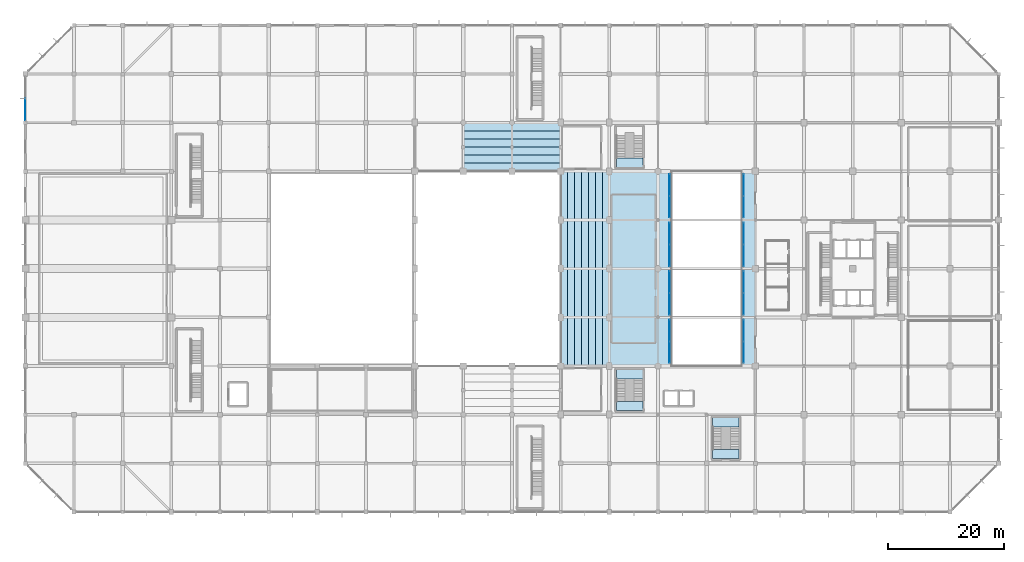
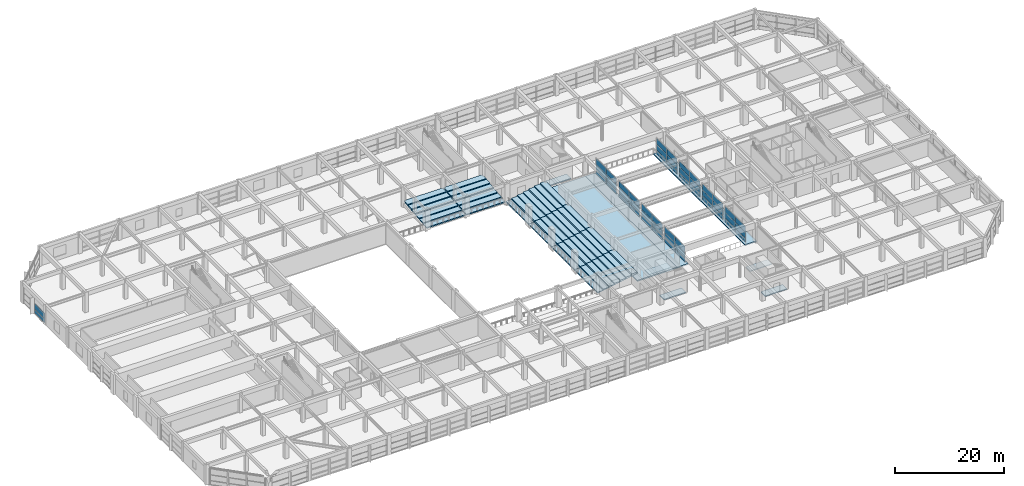
# One storey, part 44 of 62: 50 plates, 14 slabs, 12 elements without a shape of their own.
"""IFC4 building model written with IfcOpenShell, lengths in metres."""

from ifc_helpers import new_model, si_unit, direction, frame, origin, origin_2d, place, context, subcontext, project, spatial, polyline, rectangle, outline, extrude, material, layer, layer_set, type_object, element, aggregate, save


model = new_model("IFC4")

# Units and contexts
model_context = context("Model", 3, precision=1e-05, world=origin(), true_north=direction((0.0, 1.0)))
body_context = subcontext(model_context, "Body", "Model", "MODEL_VIEW")
ifc_project = project(units=[si_unit("LENGTHUNIT", "METRE"), si_unit("AREAUNIT", "SQUARE_METRE"), si_unit("VOLUMEUNIT", "CUBIC_METRE"), si_unit("PLANEANGLEUNIT", "RADIAN"), si_unit("MASSUNIT", "GRAM", prefix="KILO")], contexts=[model_context])

# Site, building, storey
site_placement = place(None, origin())
site = spatial("IfcSite", under=ifc_project, at=site_placement, CompositionType="ELEMENT")
building_placement = place(site_placement, origin())
building = spatial("IfcBuilding", under=site, at=building_placement, Name="Xuanlan Plaza Opera House", CompositionType="ELEMENT")
storey_placement = place(building_placement, frame((0.0, 0.0, 14.39990234375)))
storey = spatial("IfcBuildingStorey", under=building, at=storey_placement, Name="L03", CompositionType="ELEMENT", Elevation=14.39990234375)

# Curtain wall, plates
ifc_material_1 = material(Name="Anodised Aluminium 6063-T6 and Low-E Glass", Category="aluminium")
curtain_wall_type_1 = type_object("IfcCurtainWallType", Name="ENV-CW-CW-01", PredefinedType="USERDEFINED", material=ifc_material_1)
curtain_wall_1_placement = place(storey_placement, origin())
curtain_wall_1 = element("IfcCurtainWall", 1, at=curtain_wall_1_placement, inside=storey, type_object=curtain_wall_type_1, Name="Unitised Curtain Wall L03-048", ObjectType="UNITISED CURTAIN WALL", PredefinedType="USERDEFINED")
ifc_material_2 = material(Name="Laminated Acoustic Double Glazing", Category="glass")
ifc_layer_1 = layer(ifc_material_2, 0.0400390625)
ifc_layer_set_1 = layer_set([ifc_layer_1], Name="Laminated Acoustic Double Glazing")
plate_type_1 = type_object("IfcPlateType", Name="ENV-CWP-04", PredefinedType="CURTAIN_PANEL", material=ifc_layer_set_1)
plate_1_placement = place(storey_placement, frame((0.0, 86.253662109375, 0.065185546875), z_axis=(0.0, 0.0, 1.0), x_axis=(0.0, -1.0, 0.0)))
plate_1 = element("IfcPlate", 2, at=plate_1_placement, type_object=plate_type_1, Name="CW-01 panel 2.1", PredefinedType="CURTAIN_PANEL", context=body_context, shape_type="SweptSolid", body=[
    extrude(rectangle(XDim=3.717529296875, YDim=0.0400390625, at=origin_2d()), origin(), (0.0, 0.0, 1.0), 0.8525390625),
])
plate_2_placement = place(storey_placement, frame((0.0, 86.253662109375, 0.982421875), z_axis=(0.0, 0.0, 1.0), x_axis=(0.0, -1.0, 0.0)))
plate_2 = element("IfcPlate", 3, at=plate_2_placement, type_object=plate_type_1, Name="CW-01 panel 2.2", PredefinedType="CURTAIN_PANEL", context=body_context, shape_type="SweptSolid", body=[
    extrude(rectangle(XDim=3.717529296875, YDim=0.0400390625, at=origin_2d()), origin(), (0.0, 0.0, 1.0), 1.235107421875),
])
aggregate(curtain_wall_1, [plate_1, plate_2])

curtain_wall_type_2 = type_object("IfcCurtainWallType", Name="ENV-CW-CW-06", PredefinedType="USERDEFINED", material=ifc_material_1)
curtain_wall_2_placement = place(storey_placement, origin())
curtain_wall_2 = element("IfcCurtainWall", 4, at=curtain_wall_2_placement, inside=storey, type_object=curtain_wall_type_2, Name="Acoustic Glazed Wall ATR-L03-11", ObjectType="ACOUSTIC GLAZED WALL", PredefinedType="USERDEFINED")
ifc_layer_2 = layer(ifc_material_2, 0.0439453125)
ifc_layer_set_2 = layer_set([ifc_layer_2], Name="Laminated Acoustic Double Glazing")
plate_type_2 = type_object("IfcPlateType", Name="ENV-CWP-05", PredefinedType="CURTAIN_PANEL", material=ifc_layer_set_2)
plate_3_placement = place(storey_placement, frame((111.199951171875, 44.37255859375, 0.090087890625), z_axis=(0.0, 0.0, 1.0), x_axis=(0.0, 1.0, 0.0)))
plate_3 = element("IfcPlate", 5, at=plate_3_placement, type_object=plate_type_2, Name="CW-06 panel 1.1", PredefinedType="CURTAIN_PANEL", context=body_context, shape_type="SweptSolid", body=[
    extrude(rectangle(XDim=3.6650390625, YDim=0.0439453125, at=origin_2d()), origin(), (0.0, 0.0, 1.0), 0.81494140625),
])
plate_4_placement = place(storey_placement, frame((111.199951171875, 44.37255859375, 0.9951171875), z_axis=(0.0, 0.0, 1.0), x_axis=(0.0, 1.0, 0.0)))
plate_4 = element("IfcPlate", 6, at=plate_4_placement, type_object=plate_type_2, Name="CW-06 panel 1.2", PredefinedType="CURTAIN_PANEL", context=body_context, shape_type="SweptSolid", body=[
    extrude(rectangle(XDim=3.6650390625, YDim=0.0439453125, at=origin_2d()), origin(), (0.0, 0.0, 1.0), 1.2099609375),
])
plate_5_placement = place(storey_placement, frame((111.199951171875, 44.37255859375, 2.295166015625), z_axis=(0.0, 0.0, 1.0), x_axis=(0.0, 1.0, 0.0)))
plate_5 = element("IfcPlate", 7, at=plate_5_placement, type_object=plate_type_2, Name="CW-06 panel 1.3", PredefinedType="CURTAIN_PANEL", context=body_context, shape_type="SweptSolid", body=[
    extrude(rectangle(XDim=3.6650390625, YDim=0.0439453125, at=origin_2d()), origin(), (0.0, 0.0, 1.0), 1.294921875),
])
plate_6_placement = place(storey_placement, frame((111.199951171875, 48.12744140625, 0.090087890625), z_axis=(0.0, 0.0, 1.0), x_axis=(0.0, 1.0, 0.0)))
plate_6 = element("IfcPlate", 8, at=plate_6_placement, type_object=plate_type_2, Name="CW-06 panel 2.1", PredefinedType="CURTAIN_PANEL", context=body_context, shape_type="SweptSolid", body=[
    extrude(rectangle(XDim=3.6650390625, YDim=0.0439453125, at=origin_2d()), origin(), (0.0, 0.0, 1.0), 0.81494140625),
])
plate_7_placement = place(storey_placement, frame((111.199951171875, 48.12744140625, 0.9951171875), z_axis=(0.0, 0.0, 1.0), x_axis=(0.0, 1.0, 0.0)))
plate_7 = element("IfcPlate", 9, at=plate_7_placement, type_object=plate_type_2, Name="CW-06 panel 2.2", PredefinedType="CURTAIN_PANEL", context=body_context, shape_type="SweptSolid", body=[
    extrude(rectangle(XDim=3.6650390625, YDim=0.0439453125, at=origin_2d()), origin(), (0.0, 0.0, 1.0), 1.2099609375),
])
plate_8_placement = place(storey_placement, frame((111.199951171875, 48.12744140625, 2.295166015625), z_axis=(0.0, 0.0, 1.0), x_axis=(0.0, 1.0, 0.0)))
plate_8 = element("IfcPlate", 10, at=plate_8_placement, type_object=plate_type_2, Name="CW-06 panel 2.3", PredefinedType="CURTAIN_PANEL", context=body_context, shape_type="SweptSolid", body=[
    extrude(rectangle(XDim=3.6650390625, YDim=0.0439453125, at=origin_2d()), origin(), (0.0, 0.0, 1.0), 1.294921875),
])
aggregate(curtain_wall_2, [plate_3, plate_4, plate_5, plate_6, plate_7, plate_8])

curtain_wall_3_placement = place(storey_placement, origin())
curtain_wall_3 = element("IfcCurtainWall", 11, at=curtain_wall_3_placement, inside=storey, type_object=curtain_wall_type_2, Name="Acoustic Glazed Wall ATR-L03-12", ObjectType="ACOUSTIC GLAZED WALL", PredefinedType="USERDEFINED")
plate_9_placement = place(storey_placement, frame((111.199951171875, 52.697509765625, 0.090087890625), z_axis=(0.0, 0.0, 1.0), x_axis=(0.0, 1.0, 0.0)))
plate_9 = element("IfcPlate", 12, at=plate_9_placement, type_object=plate_type_2, Name="CW-06 panel 1.1", PredefinedType="CURTAIN_PANEL", context=body_context, shape_type="SweptSolid", body=[
    extrude(rectangle(XDim=3.715087890625, YDim=0.0439453125, at=origin_2d()), origin(), (0.0, 0.0, 1.0), 0.81494140625),
])
plate_10_placement = place(storey_placement, frame((111.199951171875, 52.697509765625, 0.9951171875), z_axis=(0.0, 0.0, 1.0), x_axis=(0.0, 1.0, 0.0)))
plate_10 = element("IfcPlate", 13, at=plate_10_placement, type_object=plate_type_2, Name="CW-06 panel 1.2", PredefinedType="CURTAIN_PANEL", context=body_context, shape_type="SweptSolid", body=[
    extrude(rectangle(XDim=3.715087890625, YDim=0.0439453125, at=origin_2d()), origin(), (0.0, 0.0, 1.0), 1.2099609375),
])
plate_11_placement = place(storey_placement, frame((111.199951171875, 52.697509765625, 2.295166015625), z_axis=(0.0, 0.0, 1.0), x_axis=(0.0, 1.0, 0.0)))
plate_11 = element("IfcPlate", 14, at=plate_11_placement, type_object=plate_type_2, Name="CW-06 panel 1.3", PredefinedType="CURTAIN_PANEL", context=body_context, shape_type="SweptSolid", body=[
    extrude(rectangle(XDim=3.715087890625, YDim=0.0439453125, at=origin_2d()), origin(), (0.0, 0.0, 1.0), 1.294921875),
])
plate_12_placement = place(storey_placement, frame((111.199951171875, 56.50244140625, 0.090087890625), z_axis=(0.0, 0.0, 1.0), x_axis=(0.0, 1.0, 0.0)))
plate_12 = element("IfcPlate", 15, at=plate_12_placement, type_object=plate_type_2, Name="CW-06 panel 2.1", PredefinedType="CURTAIN_PANEL", context=body_context, shape_type="SweptSolid", body=[
    extrude(rectangle(XDim=3.715087890625, YDim=0.0439453125, at=origin_2d()), origin(), (0.0, 0.0, 1.0), 0.81494140625),
])
plate_13_placement = place(storey_placement, frame((111.199951171875, 56.50244140625, 0.9951171875), z_axis=(0.0, 0.0, 1.0), x_axis=(0.0, 1.0, 0.0)))
plate_13 = element("IfcPlate", 16, at=plate_13_placement, type_object=plate_type_2, Name="CW-06 panel 2.2", PredefinedType="CURTAIN_PANEL", context=body_context, shape_type="SweptSolid", body=[
    extrude(rectangle(XDim=3.715087890625, YDim=0.0439453125, at=origin_2d()), origin(), (0.0, 0.0, 1.0), 1.2099609375),
])
plate_14_placement = place(storey_placement, frame((111.199951171875, 56.50244140625, 2.295166015625), z_axis=(0.0, 0.0, 1.0), x_axis=(0.0, 1.0, 0.0)))
plate_14 = element("IfcPlate", 17, at=plate_14_placement, type_object=plate_type_2, Name="CW-06 panel 2.3", PredefinedType="CURTAIN_PANEL", context=body_context, shape_type="SweptSolid", body=[
    extrude(rectangle(XDim=3.715087890625, YDim=0.0439453125, at=origin_2d()), origin(), (0.0, 0.0, 1.0), 1.294921875),
])
aggregate(curtain_wall_3, [plate_9, plate_10, plate_11, plate_12, plate_13, plate_14])

curtain_wall_4_placement = place(storey_placement, origin())
curtain_wall_4 = element("IfcCurtainWall", 18, at=curtain_wall_4_placement, inside=storey, type_object=curtain_wall_type_2, Name="Acoustic Glazed Wall ATR-L03-13", ObjectType="ACOUSTIC GLAZED WALL", PredefinedType="USERDEFINED")
plate_15_placement = place(storey_placement, frame((111.199951171875, 61.097412109375, 0.090087890625), z_axis=(0.0, 0.0, 1.0), x_axis=(0.0, 1.0, 0.0)))
plate_15 = element("IfcPlate", 19, at=plate_15_placement, type_object=plate_type_2, Name="CW-06 panel 1.1", PredefinedType="CURTAIN_PANEL", context=body_context, shape_type="SweptSolid", body=[
    extrude(rectangle(XDim=3.715087890625, YDim=0.0439453125, at=origin_2d()), origin(), (0.0, 0.0, 1.0), 0.81494140625),
])
plate_16_placement = place(storey_placement, frame((111.199951171875, 61.097412109375, 0.9951171875), z_axis=(0.0, 0.0, 1.0), x_axis=(0.0, 1.0, 0.0)))
plate_16 = element("IfcPlate", 20, at=plate_16_placement, type_object=plate_type_2, Name="CW-06 panel 1.2", PredefinedType="CURTAIN_PANEL", context=body_context, shape_type="SweptSolid", body=[
    extrude(rectangle(XDim=3.715087890625, YDim=0.0439453125, at=origin_2d()), origin(), (0.0, 0.0, 1.0), 1.2099609375),
])
plate_17_placement = place(storey_placement, frame((111.199951171875, 61.097412109375, 2.295166015625), z_axis=(0.0, 0.0, 1.0), x_axis=(0.0, 1.0, 0.0)))
plate_17 = element("IfcPlate", 21, at=plate_17_placement, type_object=plate_type_2, Name="CW-06 panel 1.3", PredefinedType="CURTAIN_PANEL", context=body_context, shape_type="SweptSolid", body=[
    extrude(rectangle(XDim=3.715087890625, YDim=0.0439453125, at=origin_2d()), origin(), (0.0, 0.0, 1.0), 1.294921875),
])
plate_18_placement = place(storey_placement, frame((111.199951171875, 64.902587890625, 0.090087890625), z_axis=(0.0, 0.0, 1.0), x_axis=(0.0, 1.0, 0.0)))
plate_18 = element("IfcPlate", 22, at=plate_18_placement, type_object=plate_type_2, Name="CW-06 panel 2.1", PredefinedType="CURTAIN_PANEL", context=body_context, shape_type="SweptSolid", body=[
    extrude(rectangle(XDim=3.715087890625, YDim=0.0439453125, at=origin_2d()), origin(), (0.0, 0.0, 1.0), 0.81494140625),
])
plate_19_placement = place(storey_placement, frame((111.199951171875, 64.902587890625, 0.9951171875), z_axis=(0.0, 0.0, 1.0), x_axis=(0.0, 1.0, 0.0)))
plate_19 = element("IfcPlate", 23, at=plate_19_placement, type_object=plate_type_2, Name="CW-06 panel 2.2", PredefinedType="CURTAIN_PANEL", context=body_context, shape_type="SweptSolid", body=[
    extrude(rectangle(XDim=3.715087890625, YDim=0.0439453125, at=origin_2d()), origin(), (0.0, 0.0, 1.0), 1.2099609375),
])
plate_20_placement = place(storey_placement, frame((111.199951171875, 64.902587890625, 2.295166015625), z_axis=(0.0, 0.0, 1.0), x_axis=(0.0, 1.0, 0.0)))
plate_20 = element("IfcPlate", 24, at=plate_20_placement, type_object=plate_type_2, Name="CW-06 panel 2.3", PredefinedType="CURTAIN_PANEL", context=body_context, shape_type="SweptSolid", body=[
    extrude(rectangle(XDim=3.715087890625, YDim=0.0439453125, at=origin_2d()), origin(), (0.0, 0.0, 1.0), 1.294921875),
])
aggregate(curtain_wall_4, [plate_15, plate_16, plate_17, plate_18, plate_19, plate_20])

curtain_wall_5_placement = place(storey_placement, origin())
curtain_wall_5 = element("IfcCurtainWall", 25, at=curtain_wall_5_placement, inside=storey, type_object=curtain_wall_type_2, Name="Acoustic Glazed Wall ATR-L03-14", ObjectType="ACOUSTIC GLAZED WALL", PredefinedType="USERDEFINED")
plate_21_placement = place(storey_placement, frame((111.199951171875, 69.472412109375, 0.090087890625), z_axis=(0.0, 0.0, 1.0), x_axis=(0.0, 1.0, 0.0)))
plate_21 = element("IfcPlate", 26, at=plate_21_placement, type_object=plate_type_2, Name="CW-06 panel 1.1", PredefinedType="CURTAIN_PANEL", context=body_context, shape_type="SweptSolid", body=[
    extrude(rectangle(XDim=3.6650390625, YDim=0.0439453125, at=origin_2d()), origin(), (0.0, 0.0, 1.0), 0.81494140625),
])
plate_22_placement = place(storey_placement, frame((111.199951171875, 69.472412109375, 0.9951171875), z_axis=(0.0, 0.0, 1.0), x_axis=(0.0, 1.0, 0.0)))
plate_22 = element("IfcPlate", 27, at=plate_22_placement, type_object=plate_type_2, Name="CW-06 panel 1.2", PredefinedType="CURTAIN_PANEL", context=body_context, shape_type="SweptSolid", body=[
    extrude(rectangle(XDim=3.6650390625, YDim=0.0439453125, at=origin_2d()), origin(), (0.0, 0.0, 1.0), 1.2099609375),
])
plate_23_placement = place(storey_placement, frame((111.199951171875, 69.472412109375, 2.295166015625), z_axis=(0.0, 0.0, 1.0), x_axis=(0.0, 1.0, 0.0)))
plate_23 = element("IfcPlate", 28, at=plate_23_placement, type_object=plate_type_2, Name="CW-06 panel 1.3", PredefinedType="CURTAIN_PANEL", context=body_context, shape_type="SweptSolid", body=[
    extrude(rectangle(XDim=3.6650390625, YDim=0.0439453125, at=origin_2d()), origin(), (0.0, 0.0, 1.0), 1.294921875),
])
plate_24_placement = place(storey_placement, frame((111.199951171875, 73.2275390625, 0.090087890625), z_axis=(0.0, 0.0, 1.0), x_axis=(0.0, 1.0, 0.0)))
plate_24 = element("IfcPlate", 29, at=plate_24_placement, type_object=plate_type_2, Name="CW-06 panel 2.1", PredefinedType="CURTAIN_PANEL", context=body_context, shape_type="SweptSolid", body=[
    extrude(rectangle(XDim=3.6650390625, YDim=0.0439453125, at=origin_2d()), origin(), (0.0, 0.0, 1.0), 0.81494140625),
])
plate_25_placement = place(storey_placement, frame((111.199951171875, 73.2275390625, 0.9951171875), z_axis=(0.0, 0.0, 1.0), x_axis=(0.0, 1.0, 0.0)))
plate_25 = element("IfcPlate", 30, at=plate_25_placement, type_object=plate_type_2, Name="CW-06 panel 2.2", PredefinedType="CURTAIN_PANEL", context=body_context, shape_type="SweptSolid", body=[
    extrude(rectangle(XDim=3.6650390625, YDim=0.0439453125, at=origin_2d()), origin(), (0.0, 0.0, 1.0), 1.2099609375),
])
plate_26_placement = place(storey_placement, frame((111.199951171875, 73.2275390625, 2.295166015625), z_axis=(0.0, 0.0, 1.0), x_axis=(0.0, 1.0, 0.0)))
plate_26 = element("IfcPlate", 31, at=plate_26_placement, type_object=plate_type_2, Name="CW-06 panel 2.3", PredefinedType="CURTAIN_PANEL", context=body_context, shape_type="SweptSolid", body=[
    extrude(rectangle(XDim=3.6650390625, YDim=0.0439453125, at=origin_2d()), origin(), (0.0, 0.0, 1.0), 1.294921875),
])
aggregate(curtain_wall_5, [plate_21, plate_22, plate_23, plate_24, plate_25, plate_26])

curtain_wall_6_placement = place(storey_placement, origin())
curtain_wall_6 = element("IfcCurtainWall", 32, at=curtain_wall_6_placement, inside=storey, type_object=curtain_wall_type_2, Name="Acoustic Glazed Wall ATR-L03-21", ObjectType="ACOUSTIC GLAZED WALL", PredefinedType="USERDEFINED")
plate_27_placement = place(storey_placement, frame((124.0, 44.37255859375, 0.090087890625), z_axis=(0.0, 0.0, 1.0), x_axis=(0.0, 1.0, 0.0)))
plate_27 = element("IfcPlate", 33, at=plate_27_placement, type_object=plate_type_2, Name="CW-06 panel 1.1", PredefinedType="CURTAIN_PANEL", context=body_context, shape_type="SweptSolid", body=[
    extrude(rectangle(XDim=3.6650390625, YDim=0.0439453125, at=origin_2d()), origin(), (0.0, 0.0, 1.0), 0.81494140625),
])
plate_28_placement = place(storey_placement, frame((124.0, 44.37255859375, 0.9951171875), z_axis=(0.0, 0.0, 1.0), x_axis=(0.0, 1.0, 0.0)))
plate_28 = element("IfcPlate", 34, at=plate_28_placement, type_object=plate_type_2, Name="CW-06 panel 1.2", PredefinedType="CURTAIN_PANEL", context=body_context, shape_type="SweptSolid", body=[
    extrude(rectangle(XDim=3.6650390625, YDim=0.0439453125, at=origin_2d()), origin(), (0.0, 0.0, 1.0), 1.2099609375),
])
plate_29_placement = place(storey_placement, frame((124.0, 44.37255859375, 2.295166015625), z_axis=(0.0, 0.0, 1.0), x_axis=(0.0, 1.0, 0.0)))
plate_29 = element("IfcPlate", 35, at=plate_29_placement, type_object=plate_type_2, Name="CW-06 panel 1.3", PredefinedType="CURTAIN_PANEL", context=body_context, shape_type="SweptSolid", body=[
    extrude(rectangle(XDim=3.6650390625, YDim=0.0439453125, at=origin_2d()), origin(), (0.0, 0.0, 1.0), 1.294921875),
])
plate_30_placement = place(storey_placement, frame((124.0, 48.12744140625, 0.090087890625), z_axis=(0.0, 0.0, 1.0), x_axis=(0.0, 1.0, 0.0)))
plate_30 = element("IfcPlate", 36, at=plate_30_placement, type_object=plate_type_2, Name="CW-06 panel 2.1", PredefinedType="CURTAIN_PANEL", context=body_context, shape_type="SweptSolid", body=[
    extrude(rectangle(XDim=3.6650390625, YDim=0.0439453125, at=origin_2d()), origin(), (0.0, 0.0, 1.0), 0.81494140625),
])
plate_31_placement = place(storey_placement, frame((124.0, 48.12744140625, 0.9951171875), z_axis=(0.0, 0.0, 1.0), x_axis=(0.0, 1.0, 0.0)))
plate_31 = element("IfcPlate", 37, at=plate_31_placement, type_object=plate_type_2, Name="CW-06 panel 2.2", PredefinedType="CURTAIN_PANEL", context=body_context, shape_type="SweptSolid", body=[
    extrude(rectangle(XDim=3.6650390625, YDim=0.0439453125, at=origin_2d()), origin(), (0.0, 0.0, 1.0), 1.2099609375),
])
plate_32_placement = place(storey_placement, frame((124.0, 48.12744140625, 2.295166015625), z_axis=(0.0, 0.0, 1.0), x_axis=(0.0, 1.0, 0.0)))
plate_32 = element("IfcPlate", 38, at=plate_32_placement, type_object=plate_type_2, Name="CW-06 panel 2.3", PredefinedType="CURTAIN_PANEL", context=body_context, shape_type="SweptSolid", body=[
    extrude(rectangle(XDim=3.6650390625, YDim=0.0439453125, at=origin_2d()), origin(), (0.0, 0.0, 1.0), 1.294921875),
])
aggregate(curtain_wall_6, [plate_27, plate_28, plate_29, plate_30, plate_31, plate_32])

curtain_wall_7_placement = place(storey_placement, origin())
curtain_wall_7 = element("IfcCurtainWall", 39, at=curtain_wall_7_placement, inside=storey, type_object=curtain_wall_type_2, Name="Acoustic Glazed Wall ATR-L03-22", ObjectType="ACOUSTIC GLAZED WALL", PredefinedType="USERDEFINED")
plate_33_placement = place(storey_placement, frame((124.0, 52.697509765625, 0.090087890625), z_axis=(0.0, 0.0, 1.0), x_axis=(0.0, 1.0, 0.0)))
plate_33 = element("IfcPlate", 40, at=plate_33_placement, type_object=plate_type_2, Name="CW-06 panel 1.1", PredefinedType="CURTAIN_PANEL", context=body_context, shape_type="SweptSolid", body=[
    extrude(rectangle(XDim=3.715087890625, YDim=0.0439453125, at=origin_2d()), origin(), (0.0, 0.0, 1.0), 0.81494140625),
])
plate_34_placement = place(storey_placement, frame((124.0, 52.697509765625, 0.9951171875), z_axis=(0.0, 0.0, 1.0), x_axis=(0.0, 1.0, 0.0)))
plate_34 = element("IfcPlate", 41, at=plate_34_placement, type_object=plate_type_2, Name="CW-06 panel 1.2", PredefinedType="CURTAIN_PANEL", context=body_context, shape_type="SweptSolid", body=[
    extrude(rectangle(XDim=3.715087890625, YDim=0.0439453125, at=origin_2d()), origin(), (0.0, 0.0, 1.0), 1.2099609375),
])
plate_35_placement = place(storey_placement, frame((124.0, 52.697509765625, 2.295166015625), z_axis=(0.0, 0.0, 1.0), x_axis=(0.0, 1.0, 0.0)))
plate_35 = element("IfcPlate", 42, at=plate_35_placement, type_object=plate_type_2, Name="CW-06 panel 1.3", PredefinedType="CURTAIN_PANEL", context=body_context, shape_type="SweptSolid", body=[
    extrude(rectangle(XDim=3.715087890625, YDim=0.0439453125, at=origin_2d()), origin(), (0.0, 0.0, 1.0), 1.294921875),
])
plate_36_placement = place(storey_placement, frame((124.0, 56.50244140625, 0.090087890625), z_axis=(0.0, 0.0, 1.0), x_axis=(0.0, 1.0, 0.0)))
plate_36 = element("IfcPlate", 43, at=plate_36_placement, type_object=plate_type_2, Name="CW-06 panel 2.1", PredefinedType="CURTAIN_PANEL", context=body_context, shape_type="SweptSolid", body=[
    extrude(rectangle(XDim=3.715087890625, YDim=0.0439453125, at=origin_2d()), origin(), (0.0, 0.0, 1.0), 0.81494140625),
])
plate_37_placement = place(storey_placement, frame((124.0, 56.50244140625, 0.9951171875), z_axis=(0.0, 0.0, 1.0), x_axis=(0.0, 1.0, 0.0)))
plate_37 = element("IfcPlate", 44, at=plate_37_placement, type_object=plate_type_2, Name="CW-06 panel 2.2", PredefinedType="CURTAIN_PANEL", context=body_context, shape_type="SweptSolid", body=[
    extrude(rectangle(XDim=3.715087890625, YDim=0.0439453125, at=origin_2d()), origin(), (0.0, 0.0, 1.0), 1.2099609375),
])
plate_38_placement = place(storey_placement, frame((124.0, 56.50244140625, 2.295166015625), z_axis=(0.0, 0.0, 1.0), x_axis=(0.0, 1.0, 0.0)))
plate_38 = element("IfcPlate", 45, at=plate_38_placement, type_object=plate_type_2, Name="CW-06 panel 2.3", PredefinedType="CURTAIN_PANEL", context=body_context, shape_type="SweptSolid", body=[
    extrude(rectangle(XDim=3.715087890625, YDim=0.0439453125, at=origin_2d()), origin(), (0.0, 0.0, 1.0), 1.294921875),
])
aggregate(curtain_wall_7, [plate_33, plate_34, plate_35, plate_36, plate_37, plate_38])

curtain_wall_8_placement = place(storey_placement, origin())
curtain_wall_8 = element("IfcCurtainWall", 46, at=curtain_wall_8_placement, inside=storey, type_object=curtain_wall_type_2, Name="Acoustic Glazed Wall ATR-L03-23", ObjectType="ACOUSTIC GLAZED WALL", PredefinedType="USERDEFINED")
plate_39_placement = place(storey_placement, frame((124.0, 61.097412109375, 0.090087890625), z_axis=(0.0, 0.0, 1.0), x_axis=(0.0, 1.0, 0.0)))
plate_39 = element("IfcPlate", 47, at=plate_39_placement, type_object=plate_type_2, Name="CW-06 panel 1.1", PredefinedType="CURTAIN_PANEL", context=body_context, shape_type="SweptSolid", body=[
    extrude(rectangle(XDim=3.715087890625, YDim=0.0439453125, at=origin_2d()), origin(), (0.0, 0.0, 1.0), 0.81494140625),
])
plate_40_placement = place(storey_placement, frame((124.0, 61.097412109375, 0.9951171875), z_axis=(0.0, 0.0, 1.0), x_axis=(0.0, 1.0, 0.0)))
plate_40 = element("IfcPlate", 48, at=plate_40_placement, type_object=plate_type_2, Name="CW-06 panel 1.2", PredefinedType="CURTAIN_PANEL", context=body_context, shape_type="SweptSolid", body=[
    extrude(rectangle(XDim=3.715087890625, YDim=0.0439453125, at=origin_2d()), origin(), (0.0, 0.0, 1.0), 1.2099609375),
])
plate_41_placement = place(storey_placement, frame((124.0, 61.097412109375, 2.295166015625), z_axis=(0.0, 0.0, 1.0), x_axis=(0.0, 1.0, 0.0)))
plate_41 = element("IfcPlate", 49, at=plate_41_placement, type_object=plate_type_2, Name="CW-06 panel 1.3", PredefinedType="CURTAIN_PANEL", context=body_context, shape_type="SweptSolid", body=[
    extrude(rectangle(XDim=3.715087890625, YDim=0.0439453125, at=origin_2d()), origin(), (0.0, 0.0, 1.0), 1.294921875),
])
plate_42_placement = place(storey_placement, frame((124.0, 64.902587890625, 0.090087890625), z_axis=(0.0, 0.0, 1.0), x_axis=(0.0, 1.0, 0.0)))
plate_42 = element("IfcPlate", 50, at=plate_42_placement, type_object=plate_type_2, Name="CW-06 panel 2.1", PredefinedType="CURTAIN_PANEL", context=body_context, shape_type="SweptSolid", body=[
    extrude(rectangle(XDim=3.715087890625, YDim=0.0439453125, at=origin_2d()), origin(), (0.0, 0.0, 1.0), 0.81494140625),
])
plate_43_placement = place(storey_placement, frame((124.0, 64.902587890625, 0.9951171875), z_axis=(0.0, 0.0, 1.0), x_axis=(0.0, 1.0, 0.0)))
plate_43 = element("IfcPlate", 51, at=plate_43_placement, type_object=plate_type_2, Name="CW-06 panel 2.2", PredefinedType="CURTAIN_PANEL", context=body_context, shape_type="SweptSolid", body=[
    extrude(rectangle(XDim=3.715087890625, YDim=0.0439453125, at=origin_2d()), origin(), (0.0, 0.0, 1.0), 1.2099609375),
])
plate_44_placement = place(storey_placement, frame((124.0, 64.902587890625, 2.295166015625), z_axis=(0.0, 0.0, 1.0), x_axis=(0.0, 1.0, 0.0)))
plate_44 = element("IfcPlate", 52, at=plate_44_placement, type_object=plate_type_2, Name="CW-06 panel 2.3", PredefinedType="CURTAIN_PANEL", context=body_context, shape_type="SweptSolid", body=[
    extrude(rectangle(XDim=3.715087890625, YDim=0.0439453125, at=origin_2d()), origin(), (0.0, 0.0, 1.0), 1.294921875),
])
aggregate(curtain_wall_8, [plate_39, plate_40, plate_41, plate_42, plate_43, plate_44])

curtain_wall_9_placement = place(storey_placement, origin())
curtain_wall_9 = element("IfcCurtainWall", 53, at=curtain_wall_9_placement, inside=storey, type_object=curtain_wall_type_2, Name="Acoustic Glazed Wall ATR-L03-24", ObjectType="ACOUSTIC GLAZED WALL", PredefinedType="USERDEFINED")
plate_45_placement = place(storey_placement, frame((124.0, 69.472412109375, 0.090087890625), z_axis=(0.0, 0.0, 1.0), x_axis=(0.0, 1.0, 0.0)))
plate_45 = element("IfcPlate", 54, at=plate_45_placement, type_object=plate_type_2, Name="CW-06 panel 1.1", PredefinedType="CURTAIN_PANEL", context=body_context, shape_type="SweptSolid", body=[
    extrude(rectangle(XDim=3.6650390625, YDim=0.0439453125, at=origin_2d()), origin(), (0.0, 0.0, 1.0), 0.81494140625),
])
plate_46_placement = place(storey_placement, frame((124.0, 69.472412109375, 0.9951171875), z_axis=(0.0, 0.0, 1.0), x_axis=(0.0, 1.0, 0.0)))
plate_46 = element("IfcPlate", 55, at=plate_46_placement, type_object=plate_type_2, Name="CW-06 panel 1.2", PredefinedType="CURTAIN_PANEL", context=body_context, shape_type="SweptSolid", body=[
    extrude(rectangle(XDim=3.6650390625, YDim=0.0439453125, at=origin_2d()), origin(), (0.0, 0.0, 1.0), 1.2099609375),
])
plate_47_placement = place(storey_placement, frame((124.0, 69.472412109375, 2.295166015625), z_axis=(0.0, 0.0, 1.0), x_axis=(0.0, 1.0, 0.0)))
plate_47 = element("IfcPlate", 56, at=plate_47_placement, type_object=plate_type_2, Name="CW-06 panel 1.3", PredefinedType="CURTAIN_PANEL", context=body_context, shape_type="SweptSolid", body=[
    extrude(rectangle(XDim=3.6650390625, YDim=0.0439453125, at=origin_2d()), origin(), (0.0, 0.0, 1.0), 1.294921875),
])
plate_48_placement = place(storey_placement, frame((124.0, 73.2275390625, 0.090087890625), z_axis=(0.0, 0.0, 1.0), x_axis=(0.0, 1.0, 0.0)))
plate_48 = element("IfcPlate", 57, at=plate_48_placement, type_object=plate_type_2, Name="CW-06 panel 2.1", PredefinedType="CURTAIN_PANEL", context=body_context, shape_type="SweptSolid", body=[
    extrude(rectangle(XDim=3.6650390625, YDim=0.0439453125, at=origin_2d()), origin(), (0.0, 0.0, 1.0), 0.81494140625),
])
plate_49_placement = place(storey_placement, frame((124.0, 73.2275390625, 0.9951171875), z_axis=(0.0, 0.0, 1.0), x_axis=(0.0, 1.0, 0.0)))
plate_49 = element("IfcPlate", 58, at=plate_49_placement, type_object=plate_type_2, Name="CW-06 panel 2.2", PredefinedType="CURTAIN_PANEL", context=body_context, shape_type="SweptSolid", body=[
    extrude(rectangle(XDim=3.6650390625, YDim=0.0439453125, at=origin_2d()), origin(), (0.0, 0.0, 1.0), 1.2099609375),
])
plate_50_placement = place(storey_placement, frame((124.0, 73.2275390625, 2.295166015625), z_axis=(0.0, 0.0, 1.0), x_axis=(0.0, 1.0, 0.0)))
plate_50 = element("IfcPlate", 59, at=plate_50_placement, type_object=plate_type_2, Name="CW-06 panel 2.3", PredefinedType="CURTAIN_PANEL", context=body_context, shape_type="SweptSolid", body=[
    extrude(rectangle(XDim=3.6650390625, YDim=0.0439453125, at=origin_2d()), origin(), (0.0, 0.0, 1.0), 1.294921875),
])
aggregate(curtain_wall_9, [plate_45, plate_46, plate_47, plate_48, plate_49, plate_50])

# Stair, slabs
ifc_material_3 = material(Name="Concrete C40", Category="concrete")
stair_type_1 = type_object("IfcStairType", Name="INT-ST-STR-F130", PredefinedType="HALF_TURN_STAIR", material=ifc_material_3)
stair_1_placement = place(storey_placement, origin())
stair_1 = element("IfcStair", 60, at=stair_1_placement, inside=storey, type_object=stair_type_1, Name="Grand Foyer Feature Stair ST-F1 L03", PredefinedType="HALF_TURN_STAIR")
ifc_layer_3 = layer(ifc_material_3, 0.18994140625)
ifc_layer_set_3 = layer_set([ifc_layer_3], Name="Concrete C40")
slab_type_1 = type_object("IfcSlabType", Name="INT-SLB-LND-19", PredefinedType="LANDING", material=ifc_layer_set_3)
slab_1_placement = place(storey_placement, frame((0.0, 0.0, 2.06005859375)))
slab_1 = element("IfcSlab", 61, at=slab_1_placement, type_object=slab_type_1, Name="ST-F1-L03 landing 1", PredefinedType="LANDING", context=body_context, shape_type="SweptSolid", body=[
    extrude(outline(polyline([(102.0, 39.77490234375), (106.60009765625, 39.77490234375), (106.60009765625, 41.3798828125), (102.0, 41.3798828125), (102.0, 39.77490234375)])), origin(), (0.0, 0.0, 1.0), 0.18994140625),
])
slab_2_placement = place(storey_placement, frame((0.0, 0.0, -0.18994140625)))
slab_2 = element("IfcSlab", 62, at=slab_2_placement, type_object=slab_type_1, Name="ST-F1-L03 landing 2", PredefinedType="LANDING", context=body_context, shape_type="SweptSolid", body=[
    extrude(outline(polyline([(102.0, 34.300048828125), (106.60009765625, 34.300048828125), (106.60009765625, 35.905029296875), (102.0, 35.905029296875), (102.0, 34.300048828125)])), origin(), (0.0, 0.0, 1.0), 0.18994140625),
])
aggregate(stair_1, [slab_1, slab_2])

# Stair, slab
stair_2_placement = place(storey_placement, origin())
stair_2 = element("IfcStair", 63, at=stair_2_placement, inside=storey, type_object=stair_type_1, Name="Grand Foyer Feature Stair ST-F2 L03", PredefinedType="HALF_TURN_STAIR")
slab_3_placement = place(storey_placement, frame((0.0, 0.0, -0.18994140625)))
slab_3 = element("IfcSlab", 64, at=slab_3_placement, type_object=slab_type_1, Name="ST-F2-L03 landing 2", PredefinedType="LANDING", context=body_context, shape_type="SweptSolid", body=[
    extrude(outline(polyline([(102.0, 76.300048828125), (106.60009765625, 76.300048828125), (106.60009765625, 77.905029296875), (102.0, 77.905029296875), (102.0, 76.300048828125)])), origin(), (0.0, 0.0, 1.0), 0.18994140625),
])
aggregate(stair_2, [slab_3])

# Stair, slabs
stair_type_2 = type_object("IfcStairType", Name="INT-ST-STR-F135", PredefinedType="HALF_TURN_STAIR", material=ifc_material_3)
stair_3_placement = place(storey_placement, origin())
stair_3 = element("IfcStair", 65, at=stair_3_placement, inside=storey, type_object=stair_type_2, Name="Grand Foyer Feature Stair ST-F3 L03", PredefinedType="HALF_TURN_STAIR")
slab_4_placement = place(storey_placement, frame((0.0, 0.0, 2.06005859375)))
slab_4 = element("IfcSlab", 66, at=slab_4_placement, type_object=slab_type_1, Name="ST-F3-L03 landing 1", PredefinedType="LANDING", context=body_context, shape_type="SweptSolid", body=[
    extrude(outline(polyline([(118.60009765625, 31.47509765625), (123.199951171875, 31.47509765625), (123.199951171875, 33.080078125), (118.60009765625, 33.080078125), (118.60009765625, 31.47509765625)])), origin(), (0.0, 0.0, 1.0), 0.18994140625),
])
slab_5_placement = place(storey_placement, frame((0.0, 0.0, -0.18994140625)))
slab_5 = element("IfcSlab", 67, at=slab_5_placement, type_object=slab_type_1, Name="ST-F3-L03 landing 2", PredefinedType="LANDING", context=body_context, shape_type="SweptSolid", body=[
    extrude(outline(polyline([(118.60009765625, 26.0), (123.199951171875, 26.0), (123.199951171875, 27.60498046875), (118.60009765625, 27.60498046875), (118.60009765625, 26.0)])), origin(), (0.0, 0.0, 1.0), 0.18994140625),
])
aggregate(stair_3, [slab_4, slab_5])

# Slabs
ifc_layer_4 = layer(ifc_material_3, 0.260009765625)
ifc_layer_set_4 = layer_set([ifc_layer_4], Name="Concrete C40")
slab_type_2 = type_object("IfcSlabType", Name="STR-SLB-SL-02", PredefinedType="FLOOR", material=ifc_layer_set_4)
slab_6_placement = place(storey_placement, frame((0.0, 0.0, -0.260009765625)))
element("IfcSlab", 68, at=slab_6_placement, inside=storey, type_object=slab_type_2, Name="Storey L03 Structural Floor Slab Zone 08", PredefinedType="FLOOR", context=body_context, shape_type="SweptSolid", body=[
    extrude(outline(polyline([(100.800048828125, 75.60009765625), (109.199951171875, 75.60009765625), (109.199951171875, 42.0), (100.800048828125, 42.0), (100.800048828125, 75.60009765625)])), origin(), (0.0, 0.0, 1.0), 0.260009765625),
])
slab_7_placement = place(storey_placement, frame((0.0, 0.0, -0.260009765625)))
element("IfcSlab", 69, at=slab_7_placement, inside=storey, type_object=slab_type_2, Name="Storey L03 Structural Floor Slab Zone 11", PredefinedType="FLOOR", context=body_context, shape_type="SweptSolid", body=[
    extrude(outline(polyline([(111.60009765625, 42.0), (109.199951171875, 42.0), (109.199951171875, 75.60009765625), (111.60009765625, 75.60009765625), (111.60009765625, 42.0)])), origin(), (0.0, 0.0, 1.0), 0.260009765625),
])
slab_8_placement = place(storey_placement, frame((0.0, 0.0, -0.260009765625)))
element("IfcSlab", 70, at=slab_8_placement, inside=storey, type_object=slab_type_2, Name="Storey L03 Structural Floor Slab Zone 12", PredefinedType="FLOOR", context=body_context, shape_type="SweptSolid", body=[
    extrude(outline(polyline([(123.60009765625, 75.60009765625), (126.0, 75.60009765625), (126.0, 42.0), (123.60009765625, 42.0), (123.60009765625, 75.60009765625)])), origin(), (0.0, 0.0, 1.0), 0.260009765625),
])
ifc_layer_5 = layer(ifc_material_3, 0.2900390625)
ifc_layer_set_5 = layer_set([ifc_layer_5], Name="Concrete C40")
slab_type_3 = type_object("IfcSlabType", Name="STR-SLB-TIER-03", PredefinedType="USERDEFINED", material=ifc_layer_set_5)
for number, where, z_axis, x_axis, name in (
    (71, (92.39990234375, 46.199951171875, 0.0), (0.0, 0.0, 1.0), (1.0, 0.0, 0.0), "Auditorium Upper Seating Tier Bay 1"),
    (72, (92.39990234375, 54.60009765625, 0.0), (0.0, 0.0, 1.0), (1.0, 0.0, 0.0), "Auditorium Upper Seating Tier Bay 2"),
    (73, (92.39990234375, 63.0, 0.0), (0.0, 0.0, 1.0), (1.0, 0.0, 0.0), "Auditorium Upper Seating Tier Bay 3"),
    (74, (92.39990234375, 71.39990234375, 0.0), (0.0, 0.0, 1.0), (1.0, 0.0, 0.0), "Auditorium Upper Seating Tier Bay 4"),
):
    element("IfcSlab", number, at=place(storey_placement, frame(where, z_axis=z_axis, x_axis=x_axis)), inside=storey, type_object=slab_type_3, Name=name, ObjectType="SEATING TIER", PredefinedType="USERDEFINED", context=body_context, shape_type="SweptSolid", body=[
        extrude(outline(polyline([(0.0, 0.0), (0.0, 0.2900390625), (1.199951171875, 0.2900390625), (1.199951171875, 0.550048828125), (2.39990234375, 0.550048828125), (2.39990234375, 0.81005859375), (3.60009765625, 0.81005859375), (3.60009765625, 1.070068359375), (4.800048828125, 1.070068359375), (4.800048828125, 1.330078125), (6.0, 1.330078125), (6.0, 1.590087890625), (7.199951171875, 1.590087890625), (7.199951171875, 1.85009765625), (8.39990234375, 1.85009765625), (8.39990234375, 1.56005859375), (0.0, 0.0)])), frame((0.0, 4.199951171875, 0.0), z_axis=(0.0, -1.0, 0.0), x_axis=(1.0, 0.0, 0.0)), (0.0, 0.0, 1.0), 8.39990234375),
    ])
for number, where, z_axis, x_axis, name in (
    (75, (79.800048828125, 75.60009765625, 0.0), (0.0, 0.0, 1.0), (0.0, 1.0, 0.0), "Auditorium Side Vineyard Seating Tier L03 North 1"),
    (76, (88.199951171875, 75.60009765625, 0.0), (0.0, 0.0, 1.0), (0.0, 1.0, 0.0), "Auditorium Side Vineyard Seating Tier L03 North 2"),
):
    element("IfcSlab", number, at=place(storey_placement, frame(where, z_axis=z_axis, x_axis=x_axis)), inside=storey, type_object=slab_type_3, Name=name, ObjectType="SEATING TIER", PredefinedType="USERDEFINED", context=body_context, shape_type="SweptSolid", body=[
        extrude(outline(polyline([(0.0, 0.0), (0.0, 0.25), (1.39990234375, 0.25), (1.39990234375, 0.429931640625), (2.800048828125, 0.429931640625), (2.800048828125, 0.610107421875), (4.199951171875, 0.610107421875), (4.199951171875, 0.7900390625), (5.60009765625, 0.7900390625), (5.60009765625, 0.969970703125), (7.0, 0.969970703125), (7.0, 1.14990234375), (8.39990234375, 1.14990234375), (8.39990234375, 0.89990234375), (0.0, 0.0)])), frame((0.0, 4.10009765625, 0.0), z_axis=(0.0, -1.0, 0.0), x_axis=(1.0, 0.0, 0.0)), (0.0, 0.0, 1.0), 8.199951171875),
    ])

save(model, "model.ifc")
